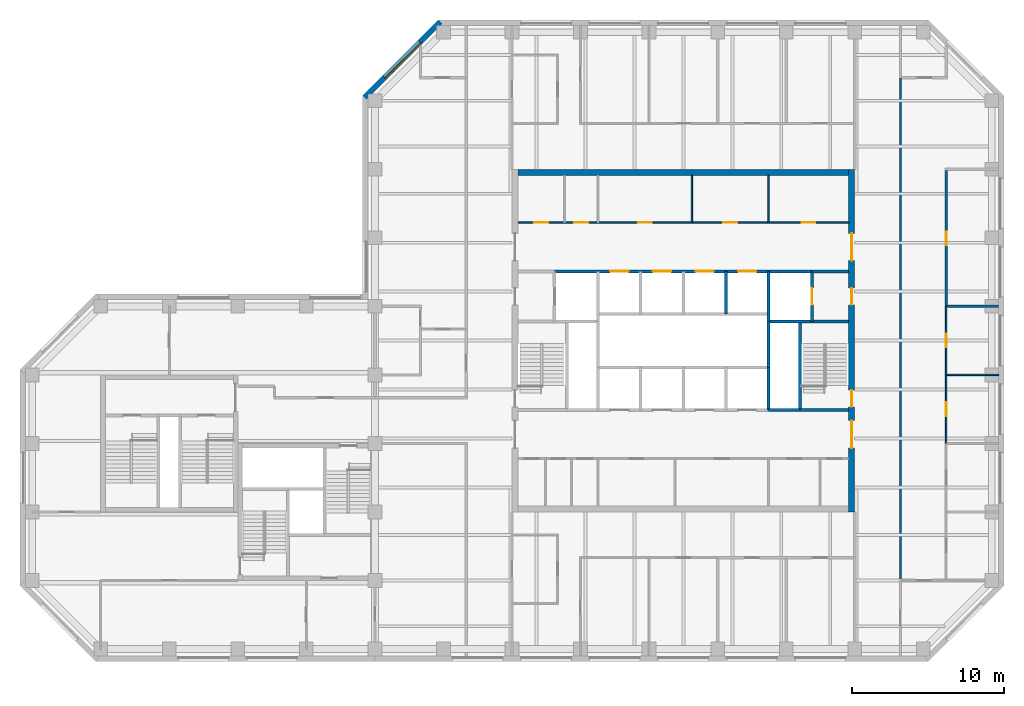
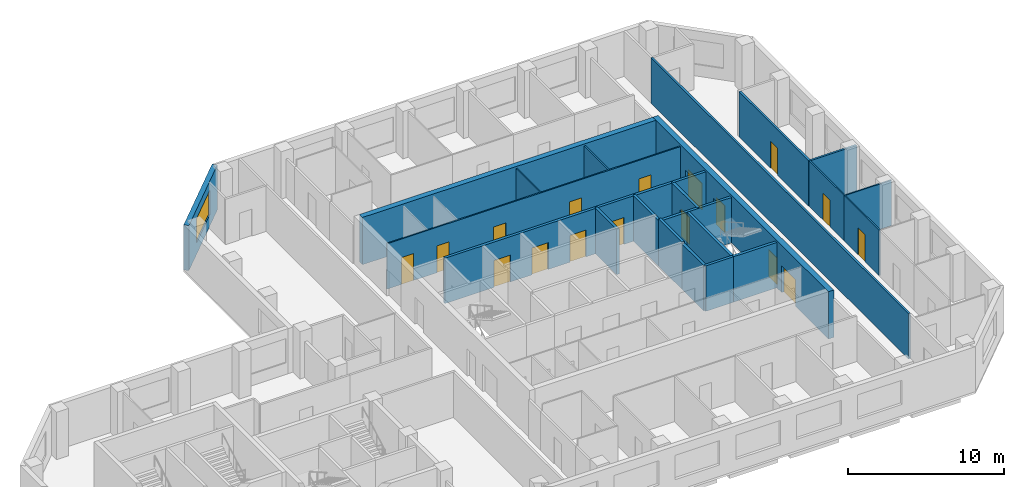
# One storey, part 6 of 9: 23 walls, 17 doors, 1 window, 18 openings.
"""IFC4 building model written with IfcOpenShell, lengths in metres."""

from ifc_helpers import new_model, si_unit, direction, frame, frame_2d, origin, place, context, subcontext, project, spatial, rectangle, extrude, material, layer, layer_set, constituent, constituent_set, type_object, element, fill, save


model = new_model("IFC4")

# Units and contexts
model_context = context("Model", 3, precision=1e-05, world=origin(), true_north=direction((0.0, 1.0)))
body_context = subcontext(model_context, "Body", "Model", "MODEL_VIEW")
ifc_project = project(units=[si_unit("LENGTHUNIT", "METRE"), si_unit("AREAUNIT", "SQUARE_METRE"), si_unit("VOLUMEUNIT", "CUBIC_METRE"), si_unit("PLANEANGLEUNIT", "RADIAN"), si_unit("MASSUNIT", "GRAM", prefix="KILO")], contexts=[model_context])

# Site, building, storey
site_placement = place(None, origin())
site = spatial("IfcSite", under=ifc_project, at=site_placement, CompositionType="ELEMENT")
building_placement = place(site_placement, origin())
building = spatial("IfcBuilding", under=site, at=building_placement, Name="Quoin Convention Tower", CompositionType="ELEMENT")
storey_placement = place(building_placement, frame((0.0, 0.0, 147.699951171875)))
storey = spatial("IfcBuildingStorey", under=building, at=storey_placement, Name="L38", CompositionType="ELEMENT", Elevation=147.699951171875)

# Wall
ifc_material_1 = material(Name="Plasterboard")
ifc_layer_1 = layer(ifc_material_1, 0.012451171875, Name="Finish")
ifc_material_2 = material(Name="Steel stud framing", Category="steel")
ifc_layer_2 = layer(ifc_material_2, 0.125, Name="Structure")
ifc_layer_3 = layer(ifc_material_1, 0.012451171875, Name="Finish")
ifc_layer_set_1 = layer_set([ifc_layer_1, ifc_layer_2, ifc_layer_3], Name="Steel stud framing")
wall_type_1 = type_object("IfcWallType", Name="Acoustic partition 150", PredefinedType="PARTITIONING", material=ifc_layer_set_1)
wall_1_placement = place(storey_placement, frame((73.574951171875, 63.0, 0.0), z_axis=(0.0, 0.0, 1.0), x_axis=(1.0, 0.0, 0.0)))
element("IfcWall", 1, at=wall_1_placement, inside=storey, type_object=wall_type_1, Name="pw-L38-029", PredefinedType="PARTITIONING", context=body_context, shape_type="SweptSolid", body=[
    extrude(rectangle(XDim=3.375, YDim=0.14990234375, at=frame_2d((1.6875, 0.0))), origin(), (0.0, 0.0, 1.0), 3.550048828125),
])

# Wall, opening, door
wall_2_placement = place(storey_placement, frame((73.5, 63.0, 0.0), z_axis=(0.0, 0.0, 1.0), x_axis=(0.0, 1.0, 0.0)))
wall_2 = element("IfcWall", 2, at=wall_2_placement, inside=storey, type_object=wall_type_1, Name="pw-L38-077", PredefinedType="PARTITIONING", context=body_context, shape_type="SweptSolid", body=[
    extrude(rectangle(XDim=8.925048828125, YDim=0.14990234375, at=frame_2d((4.46240234375, 0.0))), origin(), (0.0, 0.0, 1.0), 3.550048828125),
])
opening_1_placement = place(wall_2_placement, frame((4.0, 0.0, 0.0)))
opening_1 = element("IfcOpeningElement", 3, at=opening_1_placement, cuts=wall_2, Name="Opening DOH1-23", PredefinedType="OPENING", context=body_context, shape_type="SweptSolid", body=[
    extrude(rectangle(XDim=0.89990234375, YDim=2.10009765625, at=frame_2d((0.449951171875, 1.050048828125))), frame((0.0, 0.0849609375, 0.0), z_axis=(0.0, -1.0, 0.0), x_axis=(1.0, 0.0, 0.0)), (0.0, 0.0, 1.0), 0.169921875),
])
ifc_material_3 = material(Name="Steel door leaf", Category="steel")
door_type_1 = type_object("IfcDoorType", Name="Office door 900 x 2100", OperationType="SINGLE_SWING_RIGHT", PredefinedType="DOOR", material=ifc_material_3)
door_1_placement = place(opening_1_placement, origin())
door_1 = element("IfcDoor", 4, at=door_1_placement, inside=storey, type_object=door_type_1, Name="dr-L38-35", OperationType="SINGLE_SWING_RIGHT", OverallHeight=2.10009765625, OverallWidth=0.89990234375, PredefinedType="DOOR", context=body_context, shape_type="SweptSolid", body=[
    extrude(rectangle(XDim=0.89990234375, YDim=2.10009765625, at=frame_2d((0.449951171875, 1.050048828125))), frame((0.0, 0.02490234375, 0.0), z_axis=(0.0, -1.0, 0.0), x_axis=(1.0, 0.0, 0.0)), (0.0, 0.0, 1.0), 0.050048828125),
])
fill(opening_1, door_1)

# Wall, opening, window
ifc_material_4 = material(Name="Brick masonry", Category="masonry")
ifc_layer_4 = layer(ifc_material_4, 0.35009765625)
ifc_layer_set_2 = layer_set([ifc_layer_4], Name="Brick masonry")
wall_type_2 = type_object("IfcWallType", Name="Brick facade wall", PredefinedType="STANDARD", material=ifc_layer_set_2)
wall_3_placement = place(storey_placement, frame((40.29248046875, 81.67626953125, 0.0), z_axis=(0.0, 0.0, 1.0), x_axis=(-0.707106781187, -0.707106781187, 0.0)))
wall_3 = element("IfcWall", 5, at=wall_3_placement, inside=storey, type_object=wall_type_2, Name="fw-L38-40500_81000", PredefinedType="STANDARD", context=body_context, shape_type="SweptSolid", body=[
    extrude(rectangle(XDim=7.02685546875, YDim=0.35009765625, at=frame_2d((3.513427734375, 0.0))), origin(), (0.0, 0.0, 1.0), 3.525146484375),
])
opening_2_placement = place(wall_3_placement, frame((1.86328125, 0.0, 0.89990234375)))
opening_2 = element("IfcOpeningElement", 6, at=opening_2_placement, cuts=wall_3, Name="Opening W-02", PredefinedType="OPENING", context=body_context, shape_type="SweptSolid", body=[
    extrude(rectangle(XDim=3.300048828125, YDim=1.89990234375, at=frame_2d((1.64990234375, 0.949951171875))), frame((0.0, 0.18505859375, 0.0), z_axis=(0.0, -1.0, 0.0), x_axis=(1.0, 0.0, 0.0)), (0.0, 0.0, 1.0), 0.3701171875),
])
ifc_material_5 = material(Name="Aluminium", Category="aluminium")
ifc_constituent_1 = constituent(ifc_material_5, Name="Frame")
ifc_material_6 = material(Name="Insulated glass", Category="glass")
ifc_constituent_2 = constituent(ifc_material_6, Name="Glazing")
ifc_constituent_set = constituent_set(constituents=[ifc_constituent_1, ifc_constituent_2], Name="Aluminium")
window_type = type_object("IfcWindowType", Name="Office window", PartitioningType="DOUBLE_PANEL_VERTICAL", PredefinedType="WINDOW", material=ifc_constituent_set)
window_placement = place(opening_2_placement, origin())
window = element("IfcWindow", 7, at=window_placement, inside=storey, type_object=window_type, Name="win-L38-37808_79192", OverallHeight=1.89990234375, OverallWidth=3.300048828125, PartitioningType="SINGLE_PANEL", PredefinedType="WINDOW", context=body_context, shape_type="SweptSolid", body=[
    extrude(rectangle(XDim=3.300048828125, YDim=1.89990234375, at=frame_2d((1.64990234375, 0.949951171875))), frame((0.0, 0.0849609375, 0.0), z_axis=(0.0, -1.0, 0.0), x_axis=(1.0, 0.0, 0.0)), (0.0, 0.0, 1.0), 0.06005859375),
])
fill(opening_2, window)

# Wall, openings, doors
ifc_layer_5 = layer(ifc_material_1, 0.012451171875, Name="Finish")
ifc_layer_6 = layer(ifc_material_2, 0.074951171875, Name="Structure")
ifc_layer_7 = layer(ifc_material_1, 0.012451171875, Name="Finish")
ifc_layer_set_3 = layer_set([ifc_layer_5, ifc_layer_6, ifc_layer_7], Name="Steel stud framing")
wall_type_3 = type_object("IfcWallType", Name="Core partition wall", PredefinedType="PARTITIONING", material=ifc_layer_set_3)
wall_4_placement = place(storey_placement, frame((45.39990234375, 68.5, 0.0), z_axis=(0.0, 0.0, 1.0), x_axis=(1.0, 0.0, 0.0)))
wall_4 = element("IfcWall", 8, at=wall_4_placement, inside=storey, type_object=wall_type_3, Name="cr-C1-L38-h19000_400", PredefinedType="PARTITIONING", context=body_context, shape_type="SweptSolid", body=[
    extrude(rectangle(XDim=21.7001953125, YDim=0.10009765625, at=frame_2d((10.85009765625, 0.0))), origin(), (0.0, 0.0, 1.0), 3.550048828125),
])
opening_3_placement = place(wall_4_placement, frame((18.625, 0.0, 0.0)))
opening_3 = element("IfcOpeningElement", 9, at=opening_3_placement, cuts=wall_4, Name="Opening DCV1-12", PredefinedType="OPENING", context=body_context, shape_type="SweptSolid", body=[
    extrude(rectangle(XDim=0.89990234375, YDim=2.10009765625, at=frame_2d((0.449951171875, 1.050048828125))), frame((0.0, 0.06005859375, 0.0), z_axis=(0.0, -1.0, 0.0), x_axis=(1.0, 0.0, 0.0)), (0.0, 0.0, 1.0), 0.1201171875),
])
opening_4_placement = place(wall_4_placement, frame((1.072509765625, 0.0, 0.0)))
opening_4 = element("IfcOpeningElement", 10, at=opening_4_placement, cuts=wall_4, Name="Opening DCV1-05", PredefinedType="OPENING", context=body_context, shape_type="SweptSolid", body=[
    extrude(rectangle(XDim=0.89990234375, YDim=2.10009765625, at=frame_2d((0.449951171875, 1.050048828125))), frame((0.0, 0.06005859375, 0.0), z_axis=(0.0, -1.0, 0.0), x_axis=(1.0, 0.0, 0.0)), (0.0, 0.0, 1.0), 0.1201171875),
])
opening_5_placement = place(wall_4_placement, frame((3.697509765625, 0.0, 0.0)))
opening_5 = element("IfcOpeningElement", 11, at=opening_5_placement, cuts=wall_4, Name="Opening DCV1-06", PredefinedType="OPENING", context=body_context, shape_type="SweptSolid", body=[
    extrude(rectangle(XDim=0.89990234375, YDim=2.10009765625, at=frame_2d((0.449951171875, 1.050048828125))), frame((0.0, 0.06005859375, 0.0), z_axis=(0.0, -1.0, 0.0), x_axis=(1.0, 0.0, 0.0)), (0.0, 0.0, 1.0), 0.1201171875),
])
opening_6_placement = place(wall_4_placement, frame((13.47998046875, 0.0, 0.0)))
opening_6 = element("IfcOpeningElement", 12, at=opening_6_placement, cuts=wall_4, Name="Opening DCV1-10", PredefinedType="OPENING", context=body_context, shape_type="SweptSolid", body=[
    extrude(rectangle(XDim=0.89990234375, YDim=2.10009765625, at=frame_2d((0.449951171875, 1.050048828125))), frame((0.0, 0.06005859375, 0.0), z_axis=(0.0, -1.0, 0.0), x_axis=(1.0, 0.0, 0.0)), (0.0, 0.0, 1.0), 0.1201171875),
])
opening_7_placement = place(wall_4_placement, frame((7.8798828125, 0.0, 0.0)))
opening_7 = element("IfcOpeningElement", 13, at=opening_7_placement, cuts=wall_4, Name="Opening DCV1-08", PredefinedType="OPENING", context=body_context, shape_type="SweptSolid", body=[
    extrude(rectangle(XDim=0.89990234375, YDim=2.10009765625, at=frame_2d((0.449951171875, 1.050048828125))), frame((0.0, 0.06005859375, 0.0), z_axis=(0.0, -1.0, 0.0), x_axis=(1.0, 0.0, 0.0)), (0.0, 0.0, 1.0), 0.1201171875),
])
door_type_2 = type_object("IfcDoorType", Name="Core room door 900 x 2100", OperationType="SINGLE_SWING_LEFT", PredefinedType="DOOR", material=ifc_material_3)
door_2_placement = place(opening_3_placement, origin())
door_2 = element("IfcDoor", 14, at=door_2_placement, inside=storey, type_object=door_type_2, Name="cd-C1-L38-CNE0-lobB-CD3807", OperationType="SINGLE_SWING_LEFT", OverallHeight=2.10009765625, OverallWidth=0.89990234375, PredefinedType="DOOR", context=body_context, shape_type="SweptSolid", body=[
    extrude(rectangle(XDim=0.89990234375, YDim=2.10009765625, at=frame_2d((0.449951171875, 1.050048828125))), frame((0.0, 0.02490234375, 0.0), z_axis=(0.0, -1.0, 0.0), x_axis=(1.0, 0.0, 0.0)), (0.0, 0.0, 1.0), 0.050048828125),
])
fill(opening_3, door_2)
door_3_placement = place(opening_4_placement, origin())
door_3 = element("IfcDoor", 15, at=door_3_placement, inside=storey, type_object=door_type_2, Name="cd-C1-L38-CNW0-lobB-CD3808", OperationType="SINGLE_SWING_RIGHT", OverallHeight=2.10009765625, OverallWidth=0.89990234375, PredefinedType="DOOR", context=body_context, shape_type="SweptSolid", body=[
    extrude(rectangle(XDim=0.89990234375, YDim=2.10009765625, at=frame_2d((0.449951171875, 1.050048828125))), frame((0.0, 0.02490234375, 0.0), z_axis=(0.0, -1.0, 0.0), x_axis=(1.0, 0.0, 0.0)), (0.0, 0.0, 1.0), 0.050048828125),
])
fill(opening_4, door_3)
door_4_placement = place(opening_5_placement, origin())
door_4 = element("IfcDoor", 16, at=door_4_placement, inside=storey, type_object=door_type_2, Name="cd-C1-L38-CNW1-lobB-CD3809", OperationType="SINGLE_SWING_RIGHT", OverallHeight=2.10009765625, OverallWidth=0.89990234375, PredefinedType="DOOR", context=body_context, shape_type="SweptSolid", body=[
    extrude(rectangle(XDim=0.89990234375, YDim=2.10009765625, at=frame_2d((0.449951171875, 1.050048828125))), frame((0.0, 0.02490234375, 0.0), z_axis=(0.0, -1.0, 0.0), x_axis=(1.0, 0.0, 0.0)), (0.0, 0.0, 1.0), 0.050048828125),
])
fill(opening_5, door_4)
door_5_placement = place(opening_6_placement, origin())
door_5 = element("IfcDoor", 17, at=door_5_placement, inside=storey, type_object=door_type_2, Name="cd-C1-L38-F40-lobB-CD3817", OperationType="SINGLE_SWING_RIGHT", OverallHeight=2.10009765625, OverallWidth=0.89990234375, PredefinedType="DOOR", context=body_context, shape_type="SweptSolid", body=[
    extrude(rectangle(XDim=0.89990234375, YDim=2.10009765625, at=frame_2d((0.449951171875, 1.050048828125))), frame((0.0, 0.02490234375, 0.0), z_axis=(0.0, -1.0, 0.0), x_axis=(1.0, 0.0, 0.0)), (0.0, 0.0, 1.0), 0.050048828125),
])
fill(opening_6, door_5)
door_6_placement = place(opening_7_placement, origin())
door_6 = element("IfcDoor", 18, at=door_6_placement, inside=storey, type_object=door_type_2, Name="cd-C1-L38-F41-lobB-CD3818", OperationType="SINGLE_SWING_RIGHT", OverallHeight=2.10009765625, OverallWidth=0.89990234375, PredefinedType="DOOR", context=body_context, shape_type="SweptSolid", body=[
    extrude(rectangle(XDim=0.89990234375, YDim=2.10009765625, at=frame_2d((0.449951171875, 1.050048828125))), frame((0.0, 0.02490234375, 0.0), z_axis=(0.0, -1.0, 0.0), x_axis=(1.0, 0.0, 0.0)), (0.0, 0.0, 1.0), 0.050048828125),
])
fill(opening_7, door_6)

# Walls
for number, where, z_axis, x_axis, name in (
    (19, (56.81005859375, 68.5, 0.0), (0.0, 0.0, 1.0), (0.0, 1.0, 0.0), "cr-C1-L38-v11810_19000"),
    (20, (61.85009765625, 68.5, 0.0), (0.0, 0.0, 1.0), (0.0, 1.0, 0.0), "cr-C1-L38-v16850_19000"),
):
    element("IfcWall", number, at=place(storey_placement, frame(where, z_axis=z_axis, x_axis=x_axis)), inside=storey, type_object=wall_type_3, Name=name, PredefinedType="PARTITIONING", context=body_context, shape_type="SweptSolid", body=[
        extrude(rectangle(XDim=3.10009765625, YDim=0.10009765625, at=frame_2d((1.550048828125, 0.0))), origin(), (0.0, 0.0, 1.0), 3.550048828125),
    ])
ifc_material_7 = material(Name="Concrete C50", Category="concrete")
ifc_layer_8 = layer(ifc_material_7, 0.199951171875)
ifc_layer_set_4 = layer_set([ifc_layer_8], Name="Concrete C50")
wall_type_4 = type_object("IfcWallType", Name="Core shaft wall", PredefinedType="SOLIDWALL", material=ifc_layer_set_4)
wall_5_placement = place(storey_placement, frame((61.85009765625, 56.199951171875, 0.0), z_axis=(0.0, 0.0, 1.0), x_axis=(1.0, 0.0, 0.0)))
element("IfcWall", 21, at=wall_5_placement, inside=storey, type_object=wall_type_4, Name="cr-C1-L38-h6700_16850", PredefinedType="SOLIDWALL", context=body_context, shape_type="SweptSolid", body=[
    extrude(rectangle(XDim=2.0498046875, YDim=0.199951171875, at=frame_2d((1.02490234375, 0.0))), origin(), (0.0, 0.0, 1.0), 3.550048828125),
])
wall_6_placement = place(storey_placement, frame((63.89990234375, 56.199951171875, 0.0), z_axis=(0.0, 0.0, 1.0), x_axis=(1.0, 0.0, 0.0)))
element("IfcWall", 22, at=wall_6_placement, inside=storey, type_object=wall_type_4, Name="cr-C1-L38-h6700_18900", PredefinedType="SOLIDWALL", context=body_context, shape_type="SweptSolid", body=[
    extrude(rectangle(XDim=3.2001953125, YDim=0.199951171875, at=frame_2d((1.60009765625, 0.0))), origin(), (0.0, 0.0, 1.0), 3.550048828125),
])
wall_7_placement = place(storey_placement, frame((61.85009765625, 62.0, 0.0), z_axis=(0.0, 0.0, 1.0), x_axis=(1.0, 0.0, 0.0)))
element("IfcWall", 23, at=wall_7_placement, inside=storey, type_object=wall_type_4, Name="cr-C1-L38-h12500_16850", PredefinedType="SOLIDWALL", context=body_context, shape_type="SweptSolid", body=[
    extrude(rectangle(XDim=5.25, YDim=0.199951171875, at=frame_2d((2.625, 0.0))), origin(), (0.0, 0.0, 1.0), 3.550048828125),
])
wall_8_placement = place(storey_placement, frame((64.699951171875, 65.300048828125, 0.0), z_axis=(0.0, 0.0, 1.0), x_axis=(1.0, 0.0, 0.0)))
element("IfcWall", 24, at=wall_8_placement, inside=storey, type_object=wall_type_4, Name="cr-C1-L38-h15800_19700", PredefinedType="SOLIDWALL", context=body_context, shape_type="SweptSolid", body=[
    extrude(rectangle(XDim=2.400146484375, YDim=0.199951171875, at=frame_2d((1.2001953125, 0.0))), origin(), (0.0, 0.0, 1.0), 3.550048828125),
])

# Wall, openings, doors
wall_9_placement = place(storey_placement, frame((47.800048828125, 65.300048828125, 0.0), z_axis=(0.0, 0.0, 1.0), x_axis=(1.0, 0.0, 0.0)))
wall_9 = element("IfcWall", 25, at=wall_9_placement, inside=storey, type_object=wall_type_4, Name="cr-C1-L38-h15800_2800", PredefinedType="SOLIDWALL", context=body_context, shape_type="SweptSolid", body=[
    extrude(rectangle(XDim=16.89990234375, YDim=0.199951171875, at=frame_2d((8.449951171875, 0.0))), origin(), (0.0, 0.0, 1.0), 3.550048828125),
])
opening_8_placement = place(wall_9_placement, frame((3.64990234375, 0.0, 0.0)))
opening_8 = element("IfcOpeningElement", 26, at=opening_8_placement, cuts=wall_9, Name="Opening LDH5", PredefinedType="OPENING", context=body_context, shape_type="SweptSolid", body=[
    extrude(rectangle(XDim=1.199951171875, YDim=2.10009765625, at=frame_2d((0.60009765625, 1.050048828125))), frame((0.0, 0.10986328125, 0.0), z_axis=(0.0, -1.0, 0.0), x_axis=(1.0, 0.0, 0.0)), (0.0, 0.0, 1.0), 0.219970703125),
])
opening_9_placement = place(wall_9_placement, frame((6.449951171875, 0.0, 0.0)))
opening_9 = element("IfcOpeningElement", 27, at=opening_9_placement, cuts=wall_9, Name="Opening LDH6", PredefinedType="OPENING", context=body_context, shape_type="SweptSolid", body=[
    extrude(rectangle(XDim=1.199951171875, YDim=2.10009765625, at=frame_2d((0.60009765625, 1.050048828125))), frame((0.0, 0.10986328125, 0.0), z_axis=(0.0, -1.0, 0.0), x_axis=(1.0, 0.0, 0.0)), (0.0, 0.0, 1.0), 0.219970703125),
])
opening_10_placement = place(wall_9_placement, frame((9.25, 0.0, 0.0)))
opening_10 = element("IfcOpeningElement", 28, at=opening_10_placement, cuts=wall_9, Name="Opening LDH7", PredefinedType="OPENING", context=body_context, shape_type="SweptSolid", body=[
    extrude(rectangle(XDim=1.199951171875, YDim=2.10009765625, at=frame_2d((0.60009765625, 1.050048828125))), frame((0.0, 0.10986328125, 0.0), z_axis=(0.0, -1.0, 0.0), x_axis=(1.0, 0.0, 0.0)), (0.0, 0.0, 1.0), 0.219970703125),
])
opening_11_placement = place(wall_9_placement, frame((12.050048828125, 0.0, 0.0)))
opening_11 = element("IfcOpeningElement", 29, at=opening_11_placement, cuts=wall_9, Name="Opening LDH8", PredefinedType="OPENING", context=body_context, shape_type="SweptSolid", body=[
    extrude(rectangle(XDim=1.199951171875, YDim=2.10009765625, at=frame_2d((0.60009765625, 1.050048828125))), frame((0.0, 0.10986328125, 0.0), z_axis=(0.0, -1.0, 0.0), x_axis=(1.0, 0.0, 0.0)), (0.0, 0.0, 1.0), 0.219970703125),
])
door_type_3 = type_object("IfcDoorType", Name="Lift landing door 1200 x 2100", OperationType="DOUBLE_DOOR_SLIDING", PredefinedType="DOOR", material=ifc_material_3)
door_7_placement = place(opening_8_placement, origin())
door_7 = element("IfcDoor", 30, at=door_7_placement, inside=storey, type_object=door_type_3, Name="cd-C1-L38-R30-lobB-LDH5", OperationType="DOUBLE_DOOR_SLIDING", OverallHeight=2.10009765625, OverallWidth=1.199951171875, PredefinedType="DOOR", context=body_context, shape_type="SweptSolid", body=[
    extrude(rectangle(XDim=1.199951171875, YDim=2.10009765625, at=frame_2d((0.60009765625, 1.050048828125))), frame((0.0, 0.02490234375, 0.0), z_axis=(0.0, -1.0, 0.0), x_axis=(1.0, 0.0, 0.0)), (0.0, 0.0, 1.0), 0.050048828125),
])
fill(opening_8, door_7)
door_8_placement = place(opening_9_placement, origin())
door_8 = element("IfcDoor", 31, at=door_8_placement, inside=storey, type_object=door_type_3, Name="cd-C1-L38-R31-lobB-LDH6", OperationType="DOUBLE_DOOR_SLIDING", OverallHeight=2.10009765625, OverallWidth=1.199951171875, PredefinedType="DOOR", context=body_context, shape_type="SweptSolid", body=[
    extrude(rectangle(XDim=1.199951171875, YDim=2.10009765625, at=frame_2d((0.60009765625, 1.050048828125))), frame((0.0, 0.02490234375, 0.0), z_axis=(0.0, -1.0, 0.0), x_axis=(1.0, 0.0, 0.0)), (0.0, 0.0, 1.0), 0.050048828125),
])
fill(opening_9, door_8)
door_9_placement = place(opening_10_placement, origin())
door_9 = element("IfcDoor", 32, at=door_9_placement, inside=storey, type_object=door_type_3, Name="cd-C1-L38-R32-lobB-LDH7", OperationType="DOUBLE_DOOR_SLIDING", OverallHeight=2.10009765625, OverallWidth=1.199951171875, PredefinedType="DOOR", context=body_context, shape_type="SweptSolid", body=[
    extrude(rectangle(XDim=1.199951171875, YDim=2.10009765625, at=frame_2d((0.60009765625, 1.050048828125))), frame((0.0, 0.02490234375, 0.0), z_axis=(0.0, -1.0, 0.0), x_axis=(1.0, 0.0, 0.0)), (0.0, 0.0, 1.0), 0.050048828125),
])
fill(opening_10, door_9)
door_10_placement = place(opening_11_placement, origin())
door_10 = element("IfcDoor", 33, at=door_10_placement, inside=storey, type_object=door_type_3, Name="cd-C1-L38-R33-lobB-LDH8", OperationType="DOUBLE_DOOR_SLIDING", OverallHeight=2.10009765625, OverallWidth=1.199951171875, PredefinedType="DOOR", context=body_context, shape_type="SweptSolid", body=[
    extrude(rectangle(XDim=1.199951171875, YDim=2.10009765625, at=frame_2d((0.60009765625, 1.050048828125))), frame((0.0, 0.02490234375, 0.0), z_axis=(0.0, -1.0, 0.0), x_axis=(1.0, 0.0, 0.0)), (0.0, 0.0, 1.0), 0.050048828125),
])
fill(opening_11, door_10)

# Walls
for number, where, z_axis, x_axis, name in (
    (34, (59.050048828125, 62.5, 0.0), (0.0, 0.0, 1.0), (0.0, 1.0, 0.0), "cr-C1-L38-v14050_13000"),
    (35, (61.85009765625, 56.199951171875, 0.0), (0.0, 0.0, 1.0), (0.0, 1.0, 0.0), "cr-C1-L38-v16850_6700"),
):
    element("IfcWall", number, at=place(storey_placement, frame(where, z_axis=z_axis, x_axis=x_axis)), inside=storey, type_object=wall_type_4, Name=name, PredefinedType="SOLIDWALL", context=body_context, shape_type="SweptSolid", body=[
        extrude(rectangle(XDim=2.800048828125, YDim=0.199951171875, at=frame_2d((1.39990234375, 0.0))), origin(), (0.0, 0.0, 1.0), 3.550048828125),
    ])
wall_10_placement = place(storey_placement, frame((61.85009765625, 62.0, 0.0), z_axis=(0.0, 0.0, 1.0), x_axis=(0.0, 1.0, 0.0)))
element("IfcWall", 36, at=wall_10_placement, inside=storey, type_object=wall_type_4, Name="cr-C1-L38-v16850_12500", PredefinedType="SOLIDWALL", context=body_context, shape_type="SweptSolid", body=[
    extrude(rectangle(XDim=3.300048828125, YDim=0.199951171875, at=frame_2d((1.64990234375, 0.0))), origin(), (0.0, 0.0, 1.0), 3.550048828125),
])
wall_11_placement = place(storey_placement, frame((63.89990234375, 56.199951171875, 0.0), z_axis=(0.0, 0.0, 1.0), x_axis=(0.0, 1.0, 0.0)))
element("IfcWall", 37, at=wall_11_placement, inside=storey, type_object=wall_type_4, Name="cr-C1-L38-v18900_6700", PredefinedType="SOLIDWALL", context=body_context, shape_type="SweptSolid", body=[
    extrude(rectangle(XDim=5.800048828125, YDim=0.199951171875, at=frame_2d((2.89990234375, 0.0))), origin(), (0.0, 0.0, 1.0), 3.550048828125),
])

# Wall, opening, door
wall_12_placement = place(storey_placement, frame((64.699951171875, 62.0, 0.0), z_axis=(0.0, 0.0, 1.0), x_axis=(0.0, 1.0, 0.0)))
wall_12 = element("IfcWall", 38, at=wall_12_placement, inside=storey, type_object=wall_type_4, Name="cr-C1-L38-v19700_12500", PredefinedType="SOLIDWALL", context=body_context, shape_type="SweptSolid", body=[
    extrude(rectangle(XDim=3.300048828125, YDim=0.199951171875, at=frame_2d((1.64990234375, 0.0))), origin(), (0.0, 0.0, 1.0), 3.550048828125),
])
opening_12_placement = place(wall_12_placement, frame((1.10009765625, 0.0, 0.0)))
opening_12 = element("IfcOpeningElement", 39, at=opening_12_placement, cuts=wall_12, Name="Opening LDFL2", PredefinedType="OPENING", context=body_context, shape_type="SweptSolid", body=[
    extrude(rectangle(XDim=1.10009765625, YDim=2.10009765625, at=frame_2d((0.550048828125, 1.050048828125))), frame((0.0, 0.10986328125, 0.0), z_axis=(0.0, -1.0, 0.0), x_axis=(1.0, 0.0, 0.0)), (0.0, 0.0, 1.0), 0.219970703125),
])
door_type_4 = type_object("IfcDoorType", Name="Lift landing door 1100 x 2100", OperationType="DOUBLE_DOOR_SLIDING", PredefinedType="DOOR", material=ifc_material_3)
door_11_placement = place(opening_12_placement, origin())
door_11 = element("IfcDoor", 40, at=door_11_placement, inside=storey, type_object=door_type_4, Name="cd-C1-L38-FLE-FFE-LDFL2", OperationType="DOUBLE_DOOR_SLIDING", OverallHeight=2.10009765625, OverallWidth=1.10009765625, PredefinedType="DOOR", context=body_context, shape_type="SweptSolid", body=[
    extrude(rectangle(XDim=1.10009765625, YDim=2.10009765625, at=frame_2d((0.550048828125, 1.050048828125))), frame((0.0, 0.02490234375, 0.0), z_axis=(0.0, -1.0, 0.0), x_axis=(1.0, 0.0, 0.0)), (0.0, 0.0, 1.0), 0.050048828125),
])
fill(opening_12, door_11)

# Walls
ifc_layer_9 = layer(ifc_material_7, 0.199951171875)
ifc_layer_set_5 = layer_set([ifc_layer_9], Name="Concrete C50")
wall_type_5 = type_object("IfcWallType", Name="Core shaft wall to the floor level over", PredefinedType="SOLIDWALL", material=ifc_layer_set_5)
wall_13_placement = place(storey_placement, frame((61.85009765625, 59.0, 0.0), z_axis=(0.0, 0.0, 1.0), x_axis=(0.0, 1.0, 0.0)))
element("IfcWall", 41, at=wall_13_placement, inside=storey, type_object=wall_type_5, Name="cr-C1-L38-v16850_9500", PredefinedType="SOLIDWALL", context=body_context, shape_type="SweptSolid", body=[
    extrude(rectangle(XDim=3.0, YDim=0.199951171875, at=frame_2d((1.5, 0.0))), origin(), (0.0, 0.0, 1.0), 3.699951171875),
])
ifc_layer_10 = layer(ifc_material_1, 0.012451171875, Name="Finish")
ifc_layer_11 = layer(ifc_material_2, 0.125, Name="Structure")
ifc_layer_12 = layer(ifc_material_1, 0.012451171875, Name="Finish")
ifc_layer_set_6 = layer_set([ifc_layer_10, ifc_layer_11, ifc_layer_12], Name="Steel stud framing")
wall_type_6 = type_object("IfcWallType", Name="Corridor wall 150", PredefinedType="PARTITIONING", material=ifc_layer_set_6)
wall_14_placement = place(storey_placement, frame((70.5, 45.0, 0.0), z_axis=(0.0, 0.0, 1.0), x_axis=(0.0, 1.0, 0.0)))
element("IfcWall", 42, at=wall_14_placement, inside=storey, type_object=wall_type_6, Name="pw-L38-052", PredefinedType="PARTITIONING", context=body_context, shape_type="SweptSolid", body=[
    extrude(rectangle(XDim=33.0, YDim=0.14990234375, at=frame_2d((16.5, 0.0))), origin(), (0.0, 0.0, 1.0), 3.550048828125),
])
ifc_layer_13 = layer(ifc_material_7, 0.39990234375)
ifc_layer_set_7 = layer_set([ifc_layer_13], Name="Concrete C50")
wall_type_7 = type_object("IfcWallType", Name="RC CORE WALL 400 C50", PredefinedType="SHEAR", material=ifc_layer_set_7)
wall_15_placement = place(storey_placement, frame((45.39990234375, 71.800048828125, 0.0), z_axis=(0.0, 0.0, 1.0), x_axis=(1.0, 0.0, 0.0)))
element("IfcWall", 43, at=wall_15_placement, inside=storey, type_object=wall_type_7, Name="cwl-C1-L38-N", PredefinedType="SHEAR", context=body_context, shape_type="SweptSolid", body=[
    extrude(rectangle(XDim=21.7001953125, YDim=0.39990234375, at=frame_2d((10.85009765625, 0.0))), origin(), (0.0, 0.0, 1.0), 3.699951171875),
])

# Wall, openings, doors
wall_16_placement = place(storey_placement, frame((67.300048828125, 49.5, 0.0), z_axis=(0.0, 0.0, 1.0), x_axis=(0.0, 1.0, 0.0)))
wall_16 = element("IfcWall", 44, at=wall_16_placement, inside=storey, type_object=wall_type_7, Name="cwl-C1-L38-E", PredefinedType="SHEAR", context=body_context, shape_type="SweptSolid", body=[
    extrude(rectangle(XDim=22.5, YDim=0.39990234375, at=frame_2d((11.25, 0.0))), origin(), (0.0, 0.0, 1.0), 3.699951171875),
])
opening_13_placement = place(wall_16_placement, frame((4.199951171875, 0.0, 0.0)))
opening_13 = element("IfcOpeningElement", 45, at=opening_13_placement, cuts=wall_16, Name="Opening DCV1-47", PredefinedType="OPENING", context=body_context, shape_type="SweptSolid", body=[
    extrude(rectangle(XDim=1.800048828125, YDim=2.10009765625, at=frame_2d((0.89990234375, 1.050048828125))), frame((0.0, 0.2099609375, 0.0), z_axis=(0.0, -1.0, 0.0), x_axis=(1.0, 0.0, 0.0)), (0.0, 0.0, 1.0), 0.419921875),
])
opening_14_placement = place(wall_16_placement, frame((6.89990234375, 0.0, 0.0)))
opening_14 = element("IfcOpeningElement", 46, at=opening_14_placement, cuts=wall_16, Name="Opening SD2", PredefinedType="OPENING", context=body_context, shape_type="SweptSolid", body=[
    extrude(rectangle(XDim=1.10009765625, YDim=2.10009765625, at=frame_2d((0.550048828125, 1.050048828125))), frame((0.0, 0.2099609375, 0.0), z_axis=(0.0, -1.0, 0.0), x_axis=(1.0, 0.0, 0.0)), (0.0, 0.0, 1.0), 0.419921875),
])
opening_15_placement = place(wall_16_placement, frame((13.60009765625, 0.0, 0.0)))
opening_15 = element("IfcOpeningElement", 47, at=opening_15_placement, cuts=wall_16, Name="Opening DCV1-46", PredefinedType="OPENING", context=body_context, shape_type="SweptSolid", body=[
    extrude(rectangle(XDim=1.10009765625, YDim=2.10009765625, at=frame_2d((0.550048828125, 1.050048828125))), frame((0.0, 0.2099609375, 0.0), z_axis=(0.0, -1.0, 0.0), x_axis=(1.0, 0.0, 0.0)), (0.0, 0.0, 1.0), 0.419921875),
])
opening_16_placement = place(wall_16_placement, frame((16.5, 0.0, 0.0)))
opening_16 = element("IfcOpeningElement", 48, at=opening_16_placement, cuts=wall_16, Name="Opening DCV1-47", PredefinedType="OPENING", context=body_context, shape_type="SweptSolid", body=[
    extrude(rectangle(XDim=1.800048828125, YDim=2.10009765625, at=frame_2d((0.89990234375, 1.050048828125))), frame((0.0, 0.2099609375, 0.0), z_axis=(0.0, -1.0, 0.0), x_axis=(1.0, 0.0, 0.0)), (0.0, 0.0, 1.0), 0.419921875),
])
door_type_5 = type_object("IfcDoorType", Name="Fire-fighting lobby door 1100 x 2100", OperationType="SINGLE_SWING_LEFT", PredefinedType="DOOR", material=ifc_material_3)
door_12_placement = place(opening_15_placement, origin())
door_12 = element("IfcDoor", 49, at=door_12_placement, inside=storey, type_object=door_type_5, Name="cd-C1-L38-FFE-E", OperationType="SINGLE_SWING_RIGHT", OverallHeight=2.10009765625, OverallWidth=1.10009765625, PredefinedType="DOOR", context=body_context, shape_type="SweptSolid", body=[
    extrude(rectangle(XDim=1.10009765625, YDim=2.10009765625, at=frame_2d((0.550048828125, 1.050048828125))), frame((0.0, 0.02490234375, 0.0), z_axis=(0.0, -1.0, 0.0), x_axis=(1.0, 0.0, 0.0)), (0.0, 0.0, 1.0), 0.050048828125),
])
fill(opening_15, door_12)
door_type_6 = type_object("IfcDoorType", Name="Lift lobby door 1800 x 2100", OperationType="SINGLE_SWING_LEFT", PredefinedType="DOOR", material=ifc_material_3)
door_13_placement = place(opening_13_placement, origin())
door_13 = element("IfcDoor", 50, at=door_13_placement, inside=storey, type_object=door_type_6, Name="cd-C1-L38-lobA-E", OperationType="SINGLE_SWING_RIGHT", OverallHeight=2.10009765625, OverallWidth=1.800048828125, PredefinedType="DOOR", context=body_context, shape_type="SweptSolid", body=[
    extrude(rectangle(XDim=1.800048828125, YDim=2.10009765625, at=frame_2d((0.89990234375, 1.050048828125))), frame((0.0, 0.02490234375, 0.0), z_axis=(0.0, -1.0, 0.0), x_axis=(1.0, 0.0, 0.0)), (0.0, 0.0, 1.0), 0.050048828125),
])
fill(opening_13, door_13)
door_14_placement = place(opening_16_placement, origin())
door_14 = element("IfcDoor", 51, at=door_14_placement, inside=storey, type_object=door_type_6, Name="cd-C1-L38-lobB-E", OperationType="SINGLE_SWING_RIGHT", OverallHeight=2.10009765625, OverallWidth=1.800048828125, PredefinedType="DOOR", context=body_context, shape_type="SweptSolid", body=[
    extrude(rectangle(XDim=1.800048828125, YDim=2.10009765625, at=frame_2d((0.89990234375, 1.050048828125))), frame((0.0, 0.02490234375, 0.0), z_axis=(0.0, -1.0, 0.0), x_axis=(1.0, 0.0, 0.0)), (0.0, 0.0, 1.0), 0.050048828125),
])
fill(opening_16, door_14)
door_type_7 = type_object("IfcDoorType", Name="Stair door 1100 x 2100", OperationType="SINGLE_SWING_RIGHT", PredefinedType="DOOR", material=ifc_material_3)
door_15_placement = place(opening_14_placement, origin())
door_15 = element("IfcDoor", 52, at=door_15_placement, inside=storey, type_object=door_type_7, Name="cd-C1-L38-STE-E", OperationType="SINGLE_SWING_LEFT", OverallHeight=2.10009765625, OverallWidth=1.10009765625, PredefinedType="DOOR", context=body_context, shape_type="SweptSolid", body=[
    extrude(rectangle(XDim=1.10009765625, YDim=2.10009765625, at=frame_2d((0.550048828125, 1.050048828125))), frame((0.0, 0.02490234375, 0.0), z_axis=(0.0, -1.0, 0.0), x_axis=(1.0, 0.0, 0.0)), (0.0, 0.0, 1.0), 0.050048828125),
])
fill(opening_14, door_15)

# Wall
ifc_layer_14 = layer(ifc_material_1, 0.012451171875, Name="Finish")
ifc_layer_15 = layer(ifc_material_2, 0.074951171875, Name="Structure")
ifc_layer_16 = layer(ifc_material_1, 0.012451171875, Name="Finish")
ifc_layer_set_8 = layer_set([ifc_layer_14, ifc_layer_15, ifc_layer_16], Name="Steel stud framing")
wall_type_8 = type_object("IfcWallType", Name="Stud partition 100", PredefinedType="PARTITIONING", material=ifc_layer_set_8)
wall_17_placement = place(storey_placement, frame((73.550048828125, 58.5, 0.0), z_axis=(0.0, 0.0, 1.0), x_axis=(1.0, 0.0, 0.0)))
element("IfcWall", 53, at=wall_17_placement, inside=storey, type_object=wall_type_8, Name="pw-L38-023", PredefinedType="PARTITIONING", context=body_context, shape_type="SweptSolid", body=[
    extrude(rectangle(XDim=3.39990234375, YDim=0.10009765625, at=frame_2d((1.699951171875, 0.0))), origin(), (0.0, 0.0, 1.0), 3.550048828125),
])

# Wall, opening, door
wall_18_placement = place(storey_placement, frame((73.5, 54.0, 0.0), z_axis=(0.0, 0.0, 1.0), x_axis=(0.0, 1.0, 0.0)))
wall_18 = element("IfcWall", 54, at=wall_18_placement, inside=storey, type_object=wall_type_8, Name="pw-L38-063", PredefinedType="PARTITIONING", context=body_context, shape_type="SweptSolid", body=[
    extrude(rectangle(XDim=4.5, YDim=0.10009765625, at=frame_2d((2.25, 0.0))), origin(), (0.0, 0.0, 1.0), 3.550048828125),
])
opening_17_placement = place(wall_18_placement, frame((1.800048828125, 0.0, 0.0)))
opening_17 = element("IfcOpeningElement", 55, at=opening_17_placement, cuts=wall_18, Name="Opening DOH1-19", PredefinedType="OPENING", context=body_context, shape_type="SweptSolid", body=[
    extrude(rectangle(XDim=0.89990234375, YDim=2.10009765625, at=frame_2d((0.449951171875, 1.050048828125))), frame((0.0, 0.06005859375, 0.0), z_axis=(0.0, -1.0, 0.0), x_axis=(1.0, 0.0, 0.0)), (0.0, 0.0, 1.0), 0.1201171875),
])
door_16_placement = place(opening_17_placement, origin())
door_16 = element("IfcDoor", 56, at=door_16_placement, inside=storey, type_object=door_type_1, Name="dr-L38-32", OperationType="SINGLE_SWING_RIGHT", OverallHeight=2.10009765625, OverallWidth=0.89990234375, PredefinedType="DOOR", context=body_context, shape_type="SweptSolid", body=[
    extrude(rectangle(XDim=0.89990234375, YDim=2.10009765625, at=frame_2d((0.449951171875, 1.050048828125))), frame((0.0, 0.02490234375, 0.0), z_axis=(0.0, -1.0, 0.0), x_axis=(1.0, 0.0, 0.0)), (0.0, 0.0, 1.0), 0.050048828125),
])
fill(opening_17, door_16)

wall_19_placement = place(storey_placement, frame((73.5, 58.5, 0.0), z_axis=(0.0, 0.0, 1.0), x_axis=(0.0, 1.0, 0.0)))
wall_19 = element("IfcWall", 57, at=wall_19_placement, inside=storey, type_object=wall_type_8, Name="pw-L38-068", PredefinedType="PARTITIONING", context=body_context, shape_type="SweptSolid", body=[
    extrude(rectangle(XDim=4.5, YDim=0.10009765625, at=frame_2d((2.25, 0.0))), origin(), (0.0, 0.0, 1.0), 3.550048828125),
])
opening_18_placement = place(wall_19_placement, frame((1.800048828125, 0.0, 0.0)))
opening_18 = element("IfcOpeningElement", 58, at=opening_18_placement, cuts=wall_19, Name="Opening DOH1-21", PredefinedType="OPENING", context=body_context, shape_type="SweptSolid", body=[
    extrude(rectangle(XDim=0.89990234375, YDim=2.10009765625, at=frame_2d((0.449951171875, 1.050048828125))), frame((0.0, 0.06005859375, 0.0), z_axis=(0.0, -1.0, 0.0), x_axis=(1.0, 0.0, 0.0)), (0.0, 0.0, 1.0), 0.1201171875),
])
door_17_placement = place(opening_18_placement, origin())
door_17 = element("IfcDoor", 59, at=door_17_placement, inside=storey, type_object=door_type_1, Name="dr-L38-33", OperationType="SINGLE_SWING_RIGHT", OverallHeight=2.10009765625, OverallWidth=0.89990234375, PredefinedType="DOOR", context=body_context, shape_type="SweptSolid", body=[
    extrude(rectangle(XDim=0.89990234375, YDim=2.10009765625, at=frame_2d((0.449951171875, 1.050048828125))), frame((0.0, 0.02490234375, 0.0), z_axis=(0.0, -1.0, 0.0), x_axis=(1.0, 0.0, 0.0)), (0.0, 0.0, 1.0), 0.050048828125),
])
fill(opening_18, door_17)

save(model, "model.ifc")
